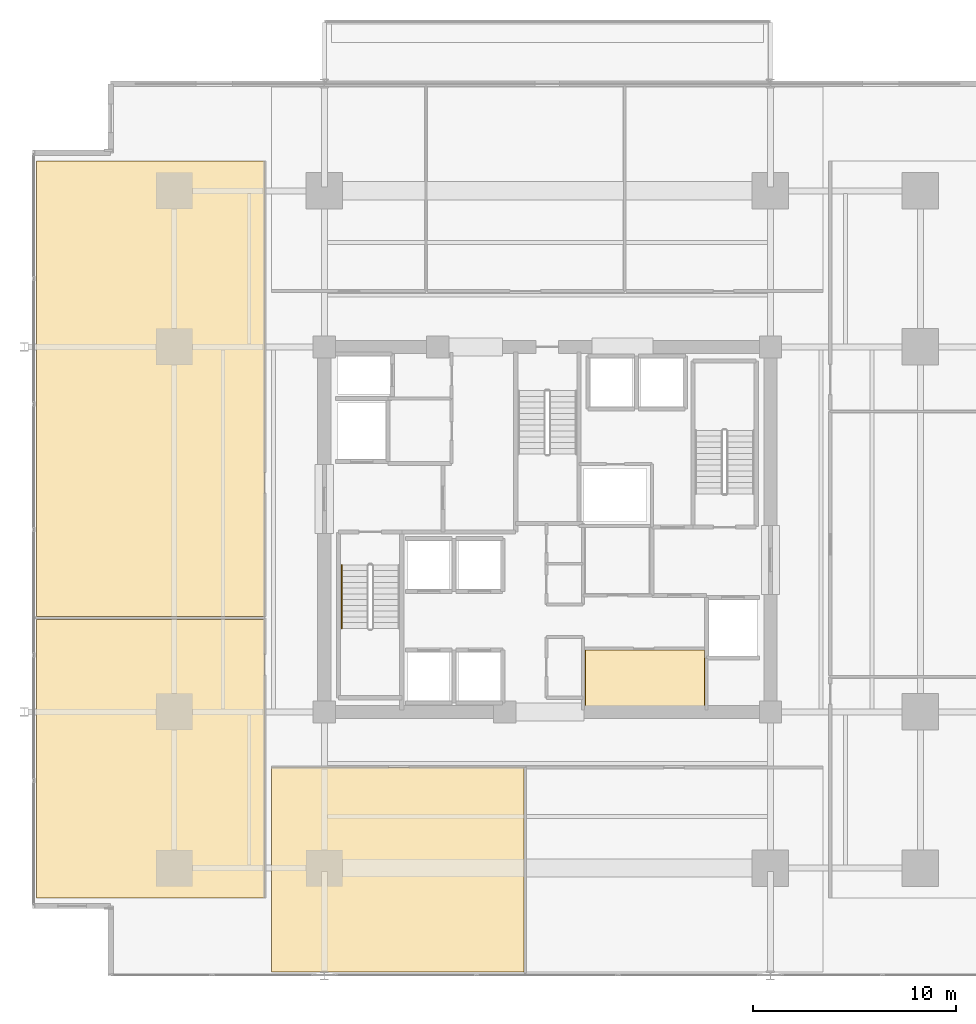
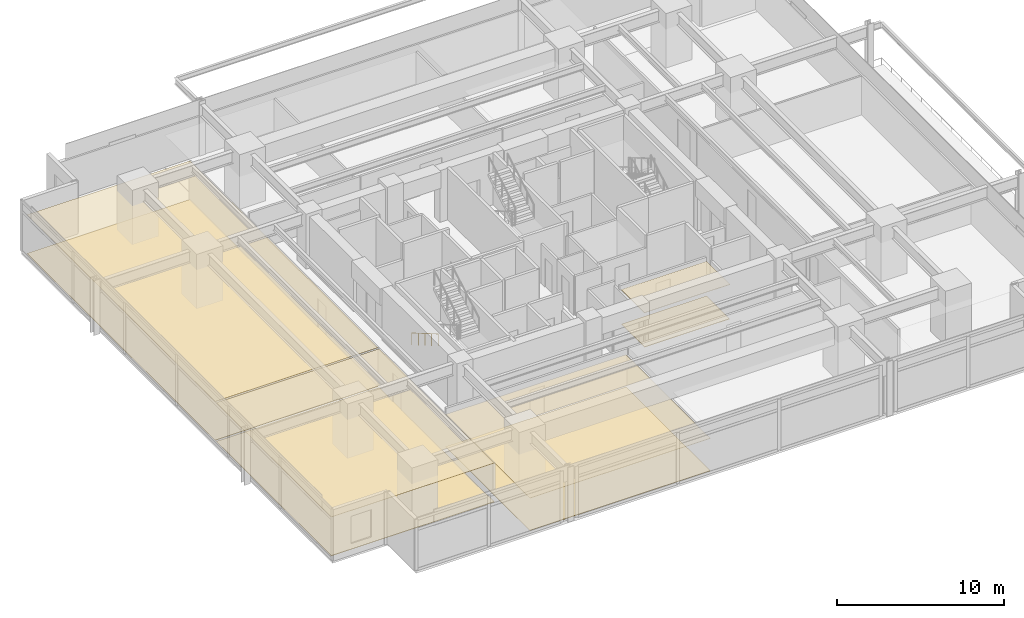
# One storey, part 19 of 22: 8 coverings, 1 railing.
"""IFC4 building model written with IfcOpenShell, lengths in metres."""

import ifcopenshell
import ifcopenshell.guid

model = None  # the IFC model being written
_history = None  # IfcOwnerHistory: only IFC2X3 demands one
_inside = {}  # id of a spatial element -> (the spatial element, [elements in it])
_under = {}  # id of a project, library or spatial element -> (it, [spatial elements below it])
_declared = {}  # id of a project -> (the project, [libraries it declares])
_typed = {}  # id of a type object -> (the type object, [elements of that type])
_made_of = {}  # id of a material, layer set ... -> (it, [elements and type objects made of it])


def new_model(schema):
    """Start an empty IFC model of exactly this schema.

    Asked for "IFC4X3", IfcOpenShell would pick the latest addendum, in which some entities
    have other attributes; the version numbers below select the first issue.
    IFC2X3 requires an IfcOwnerHistory on every rooted entity: one is made here for all.
    """
    global model, _history
    if schema == "IFC4X3":
        model = ifcopenshell.file(schema_version=(4, 3, 0, 0))
    else:
        model = ifcopenshell.file(schema=schema)
    _inside.clear()
    _under.clear()
    _declared.clear()
    _typed.clear()
    _made_of.clear()
    _history = None
    if model.schema == "IFC2X3":
        org = make("IfcOrganization", Name="unknown")
        user = make(
            "IfcPersonAndOrganization",
            ThePerson=make("IfcPerson", FamilyName="unknown"),
            TheOrganization=org,
        )
        app = make(
            "IfcApplication",
            ApplicationDeveloper=org,
            Version="unknown",
            ApplicationFullName="unknown",
            ApplicationIdentifier="unknown",
        )
        _history = make(
            "IfcOwnerHistory",
            OwningUser=user,
            OwningApplication=app,
            ChangeAction="ADDED",
            CreationDate=0,
        )
    return model


def make(cls, **values):
    """One entity of the class cls with the attributes given. An attribute that is None is left unset."""
    return model.create_entity(
        cls, **{name: value for name, value in values.items() if value is not None}
    )


def rooted(cls, **values):
    """An entity with a GlobalId (a new one), such as an element, a storey or a relation."""
    return make(cls, GlobalId=ifcopenshell.guid.new(), OwnerHistory=_history, **values)


def si_unit(unit_type, name, prefix=None):
    """IfcSIUnit, for example si_unit("LENGTHUNIT", "METRE", prefix="MILLI")."""
    return make("IfcSIUnit", UnitType=unit_type, Prefix=prefix, Name=name)


def assignment(units):
    """IfcUnitAssignment: the units of a project."""
    return None if units is None else make("IfcUnitAssignment", Units=units)


def point(xyz):
    """IfcCartesianPoint."""
    return None if xyz is None else make("IfcCartesianPoint", Coordinates=xyz)


def direction(xyz):
    """IfcDirection."""
    return None if xyz is None else make("IfcDirection", DirectionRatios=xyz)


def frame(location, z_axis=None, x_axis=None):
    """IfcAxis2Placement3D, a coordinate frame: its origin and axes. An axis left out is left unset."""
    return make(
        "IfcAxis2Placement3D",
        Location=point(location),
        Axis=direction(z_axis),
        RefDirection=direction(x_axis),
    )


def frame_2d(location, x_axis=None):
    """IfcAxis2Placement2D, a coordinate frame in the plane: its origin and x axis."""
    return make(
        "IfcAxis2Placement2D", Location=point(location), RefDirection=direction(x_axis)
    )


def origin():
    """The frame at (0, 0, 0) with its axes left unset."""
    return frame((0.0, 0.0, 0.0))


def origin_2d():
    """The frame at (0, 0) in the plane with its x axis left unset."""
    return frame_2d((0.0, 0.0))


def place(relative_to, where):
    """IfcLocalPlacement: puts the frame where relative to a parent placement (None: the world)."""
    return make(
        "IfcLocalPlacement", PlacementRelTo=relative_to, RelativePlacement=where
    )


def context(
    kind, dimensions, precision=None, world=None, true_north=None, identifier=None
):
    """IfcGeometricRepresentationContext, for example the 3D "Model" context."""
    return make(
        "IfcGeometricRepresentationContext",
        ContextIdentifier=identifier,
        ContextType=kind,
        CoordinateSpaceDimension=dimensions,
        Precision=precision,
        WorldCoordinateSystem=world,
        TrueNorth=true_north,
    )


def subcontext(parent, identifier, kind, view, scale=None):
    """IfcGeometricRepresentationSubContext, for example "Body" below "Model"."""
    return make(
        "IfcGeometricRepresentationSubContext",
        ContextIdentifier=identifier,
        ContextType=kind,
        ParentContext=parent,
        TargetScale=scale,
        TargetView=view,
    )


def project(units=None, contexts=None):
    """IfcProject with its units and contexts."""
    return rooted(
        "IfcProject",
        Name="project",
        RepresentationContexts=contexts,
        UnitsInContext=assignment(units),
    )


def spatial(cls, under=None, at=None, **own):
    """A site, building, storey or space (cls), placed at a placement, below another one or the project."""
    s = rooted(cls, ObjectPlacement=at, **own)
    if under is not None:
        _under.setdefault(under.id(), (under, []))[1].append(s)
    return s


def polyline(points):
    """IfcPolyline through the points."""
    return make("IfcPolyline", Points=[point(p) for p in points])


def profile(cls, at=None, kind="AREA", **sizes):
    """A parametric profile (cls). Its sizes go by their IFC names, for example OverallWidth=200.0."""
    return make(cls, ProfileType=kind, Position=at, **sizes)


def circle(**sizes):
    """IfcCircleProfileDef."""
    return profile("IfcCircleProfileDef", **sizes)


def outline(outer, holes=None, kind="AREA"):
    """IfcArbitraryClosedProfileDef: a profile drawn as a closed curve; with holes, ...WithVoids."""
    if holes is None:
        return make("IfcArbitraryClosedProfileDef", ProfileType=kind, OuterCurve=outer)
    return make(
        "IfcArbitraryProfileDefWithVoids",
        ProfileType=kind,
        OuterCurve=outer,
        InnerCurves=holes,
    )


def extrude(swept, where, along, depth):
    """IfcExtrudedAreaSolid: the profile swept, set in the frame where, extruded along a direction by depth."""
    return make(
        "IfcExtrudedAreaSolid",
        SweptArea=swept,
        Position=where,
        ExtrudedDirection=direction(along),
        Depth=depth,
    )


def shape(context_of_items, identifier, shape_type, items):
    """IfcShapeRepresentation: the items that make up one representation, for example the "Body"."""
    return make(
        "IfcShapeRepresentation",
        ContextOfItems=context_of_items,
        RepresentationIdentifier=identifier,
        RepresentationType=shape_type,
        Items=items,
    )


def material(Name=None, Category=None):
    """IfcMaterial."""
    return make("IfcMaterial", Name=Name, Category=Category)


def layer(
    of_material, thickness, ventilated=None, Name=None, Category=None, Priority=None
):
    """IfcMaterialLayer: one layer of a wall or slab, of a material (None: an air gap)."""
    return make(
        "IfcMaterialLayer",
        Material=of_material,
        LayerThickness=thickness,
        IsVentilated=ventilated,
        Name=Name,
        Category=Category,
        Priority=Priority,
    )


def layer_set(layers, Name=None):
    """IfcMaterialLayerSet."""
    return make("IfcMaterialLayerSet", MaterialLayers=layers, LayerSetName=Name)


def made_of(thing, what):
    """Note that an element or type object is made of a material, layer set ...; save() writes the relation."""
    if what is not None:
        _made_of.setdefault(what.id(), (what, []))[1].append(thing)
    return thing


def type_object(cls, material=None, **own):
    """A type object (cls), such as IfcWallType, which elements share."""
    return made_of(rooted(cls, **own), material)


def element(
    cls,
    number,
    at=None,
    inside=None,
    cuts=None,
    type_object=None,
    material=None,
    context=None,
    identifier="Body",
    shape_type=None,
    held_by="IfcProductDefinitionShape",
    body=None,
    shapes=None,
    **own,
):
    """One element of the class cls, such as IfcWall. Its Tag is "e" and its number.

    at: its placement. inside: the storey or other place that contains it. cuts: it is an
    opening in that element (IfcRelVoidsElement). A single representation is given by context,
    identifier, shape_type and body (its items); several are given by shapes. held_by: the class
    of the entity that holds the representations. save() writes the other relations.
    """
    e = rooted(cls, Tag="e%d" % number, ObjectPlacement=at, **own)
    if body is not None:
        shapes = [shape(context, identifier, shape_type, body)]
    if shapes is not None:
        e.Representation = make(held_by, Representations=shapes)
    if inside is not None:
        _inside.setdefault(inside.id(), (inside, []))[1].append(e)
    if cuts is not None:
        rooted(
            "IfcRelVoidsElement", RelatingBuildingElement=cuts, RelatedOpeningElement=e
        )
    if type_object is not None:
        _typed.setdefault(type_object.id(), (type_object, []))[1].append(e)
    return made_of(e, material)


def aggregate(whole, parts):
    """IfcRelAggregates: a whole, such as a stair, and the parts it consists of."""
    return rooted("IfcRelAggregates", RelatingObject=whole, RelatedObjects=parts)


def save(model, path):
    """Write the relations noted so far, then the file.

    IfcRelAggregates (storeys below a building ...), IfcRelContainedInSpatialStructure (elements
    in a storey), IfcRelDefinesByType, IfcRelAssociatesMaterial and IfcRelDeclares: one each for
    every whole, place, type object, material and project.
    """
    for whole, parts in _under.values():
        aggregate(whole, parts)
    for where, things in _inside.values():
        rooted(
            "IfcRelContainedInSpatialStructure",
            RelatedElements=things,
            RelatingStructure=where,
        )
    for kind, things in _typed.values():
        rooted("IfcRelDefinesByType", RelatedObjects=things, RelatingType=kind)
    for what, things in _made_of.values():
        rooted("IfcRelAssociatesMaterial", RelatedObjects=things, RelatingMaterial=what)
    for by, libraries in _declared.values():
        rooted("IfcRelDeclares", RelatingContext=by, RelatedDefinitions=libraries)
    model.write(path)


model = new_model("IFC4")

# Units and contexts
model_context = context("Model", 3, precision=1e-05, world=origin(), true_north=direction((0.0, 1.0)))
body_context = subcontext(model_context, "Body", "Model", "MODEL_VIEW")
ifc_project = project(units=[si_unit("LENGTHUNIT", "METRE"), si_unit("AREAUNIT", "SQUARE_METRE"), si_unit("VOLUMEUNIT", "CUBIC_METRE"), si_unit("PLANEANGLEUNIT", "RADIAN"), si_unit("MASSUNIT", "GRAM", prefix="KILO")], contexts=[model_context])

# Site, building, storey
site_placement = place(None, origin())
site = spatial("IfcSite", under=ifc_project, at=site_placement, CompositionType="ELEMENT")
building_placement = place(site_placement, origin())
building = spatial("IfcBuilding", under=site, at=building_placement, Name="Kovane Verandah Tower", CompositionType="ELEMENT")
storey_placement = place(building_placement, frame((0.0, 0.0, 43.60009765625)))
storey = spatial("IfcBuildingStorey", under=building, at=storey_placement, Name="L09", CompositionType="ELEMENT", Elevation=43.60009765625)

# Coverings
ifc_material_1 = material(Name="Perforated Acoustic Mineral-Fibre Ceiling Tile", Category="gypsum")
ifc_layer_1 = layer(ifc_material_1, 0.02490234375)
ifc_layer_set_1 = layer_set([ifc_layer_1], Name="Perforated Acoustic Mineral-Fibre Ceiling Tile")
covering_type_1 = type_object("IfcCoveringType", Name="CV-CEIL-25", PredefinedType="CEILING", material=ifc_layer_set_1)
covering_1_placement = place(storey_placement, frame((0.0, 0.0, 2.514892578125)))
element("IfcCovering", 1, at=covering_1_placement, inside=storey, type_object=covering_type_1, Name="L09 Records Vault Room Acoustic Ceiling", PredefinedType="CEILING", context=body_context, shape_type="SweptSolid", body=[
    extrude(outline(polyline([(41.864990234375, 18.784912109375), (47.764892578125, 18.784912109375), (47.764892578125, 21.56494140625), (41.864990234375, 21.56494140625), (41.864990234375, 18.784912109375)])), origin(), (0.0, 0.0, 1.0), 0.02490234375),
])
covering_2_placement = place(storey_placement, frame((0.0, 0.0, 2.364990234375)))
element("IfcCovering", 2, at=covering_2_placement, inside=storey, type_object=covering_type_1, Name="L09 Focus Studio S1 Acoustic Ceiling", PredefinedType="CEILING", context=body_context, shape_type="SweptSolid", body=[
    extrude(outline(polyline([(26.39990234375, 5.677001953125), (38.842041015625, 5.677001953125), (38.842041015625, 15.75), (26.39990234375, 15.75), (26.39990234375, 5.677001953125)])), origin(), (0.0, 0.0, 1.0), 0.02490234375),
])
covering_3_placement = place(storey_placement, frame((0.0, 0.0, 2.824951171875)))
element("IfcCovering", 3, at=covering_3_placement, inside=storey, type_object=covering_type_1, Name="L09 Collaboration Hub W1 Acoustic Ceiling", PredefinedType="CEILING", context=body_context, shape_type="SweptSolid", body=[
    extrude(outline(polyline([(14.81689453125, 9.326904296875), (26.050048828125, 9.326904296875), (26.050048828125, 23.068603515625), (14.81689453125, 23.068603515625), (14.81689453125, 9.326904296875)])), origin(), (0.0, 0.0, 1.0), 0.02490234375),
])
covering_4_placement = place(storey_placement, frame((0.0, 0.0, 2.824951171875)))
element("IfcCovering", 4, at=covering_4_placement, inside=storey, type_object=covering_type_1, Name="L09 Document and Print Room W2 Acoustic Ceiling", PredefinedType="CEILING", context=body_context, shape_type="SweptSolid", body=[
    extrude(outline(polyline([(14.81689453125, 23.20849609375), (26.050048828125, 23.20849609375), (26.050048828125, 45.673095703125), (14.81689453125, 45.673095703125), (14.81689453125, 23.20849609375)])), origin(), (0.0, 0.0, 1.0), 0.02490234375),
])
ifc_material_2 = material(Name="Polished Terrazzo and Raised-Access Carpet Tile Finish", Category="concrete")
ifc_layer_2 = layer(ifc_material_2, 0.030029296875)
ifc_layer_set_2 = layer_set([ifc_layer_2], Name="Polished Terrazzo and Raised-Access Carpet Tile Finish")
covering_type_2 = type_object("IfcCoveringType", Name="CV-FLOR-30", PredefinedType="FLOORING", material=ifc_layer_set_2)
covering_5_placement = place(storey_placement, origin())
element("IfcCovering", 5, at=covering_5_placement, inside=storey, type_object=covering_type_2, Name="L09 Records Vault Room Floor Finish", PredefinedType="FLOORING", context=body_context, shape_type="SweptSolid", body=[
    extrude(outline(polyline([(41.8798828125, 18.800048828125), (47.75, 18.800048828125), (47.75, 21.550048828125), (41.8798828125, 21.550048828125), (41.8798828125, 18.800048828125)])), origin(), (0.0, 0.0, 1.0), 0.02978515625),
])
covering_6_placement = place(storey_placement, origin())
element("IfcCovering", 6, at=covering_6_placement, inside=storey, type_object=covering_type_2, Name="L09 Focus Studio S1 Floor Finish", PredefinedType="FLOORING", context=body_context, shape_type="SweptSolid", body=[
    extrude(outline(polyline([(26.39990234375, 5.677001953125), (38.842041015625, 5.677001953125), (38.842041015625, 15.75), (26.39990234375, 15.75), (26.39990234375, 5.677001953125)])), origin(), (0.0, 0.0, 1.0), 0.02978515625),
])
covering_7_placement = place(storey_placement, origin())
element("IfcCovering", 7, at=covering_7_placement, inside=storey, type_object=covering_type_2, Name="L09 Collaboration Hub W1 Floor Finish", PredefinedType="FLOORING", context=body_context, shape_type="SweptSolid", body=[
    extrude(outline(polyline([(14.81689453125, 9.326904296875), (26.050048828125, 9.326904296875), (26.050048828125, 23.068603515625), (14.81689453125, 23.068603515625), (14.81689453125, 9.326904296875)])), origin(), (0.0, 0.0, 1.0), 0.02978515625),
])
covering_8_placement = place(storey_placement, origin())
element("IfcCovering", 8, at=covering_8_placement, inside=storey, type_object=covering_type_2, Name="L09 Document and Print Room W2 Floor Finish", PredefinedType="FLOORING", context=body_context, shape_type="SweptSolid", body=[
    extrude(outline(polyline([(14.81689453125, 23.20849609375), (26.050048828125, 23.20849609375), (26.050048828125, 45.673095703125), (14.81689453125, 45.673095703125), (14.81689453125, 23.20849609375)])), origin(), (0.0, 0.0, 1.0), 0.02978515625),
])

# Railing
ifc_material_3 = material(Name="Brushed Stainless Steel Handrail", Category="steel")
railing_type = type_object("IfcRailingType", Name="RL-HAND-920", PredefinedType="HANDRAIL", material=ifc_material_3)
railing_placement = place(storey_placement, frame((29.85009765625, 25.75, 0.16650390625)))
element("IfcRailing", 9, at=railing_placement, inside=storey, type_object=railing_type, Name="L09 ST-01 stair handrail 1", PredefinedType="HANDRAIL", context=body_context, shape_type="SweptSolid", body=[
    extrude(circle(Radius=0.02392578125, at=origin_2d()), frame((0.0, 0.0, 0.8759765625), z_axis=(0.0, -0.863210265497, 0.504844567704), x_axis=(1.0, 0.0, 0.0)), (0.0, 0.0, 1.0), 3.6318359375),
    extrude(circle(Radius=0.02099609375, at=origin_2d()), origin(), (0.0, 0.0, 1.0), 0.851806640625),
    extrude(circle(Radius=0.02099609375, at=origin_2d()), frame((0.0, -0.78369140625, 0.45849609375)), (0.0, 0.0, 1.0), 0.851806640625),
    extrude(circle(Radius=0.02099609375, at=origin_2d()), frame((0.0, -1.5673828125, 0.916748046875)), (0.0, 0.0, 1.0), 0.851806640625),
    extrude(circle(Radius=0.02099609375, at=origin_2d()), frame((0.0, -2.351318359375, 1.375)), (0.0, 0.0, 1.0), 0.851806640625),
    extrude(circle(Radius=0.02099609375, at=origin_2d()), frame((0.0, -3.135009765625, 1.83349609375)), (0.0, 0.0, 1.0), 0.851806640625),
])

save(model, "model.ifc")
